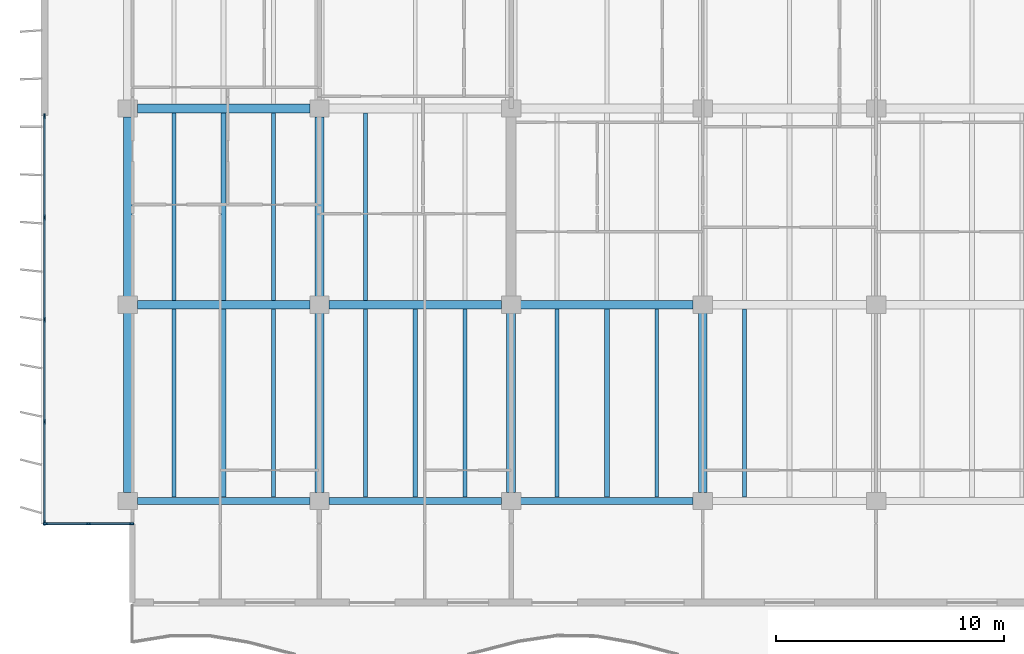
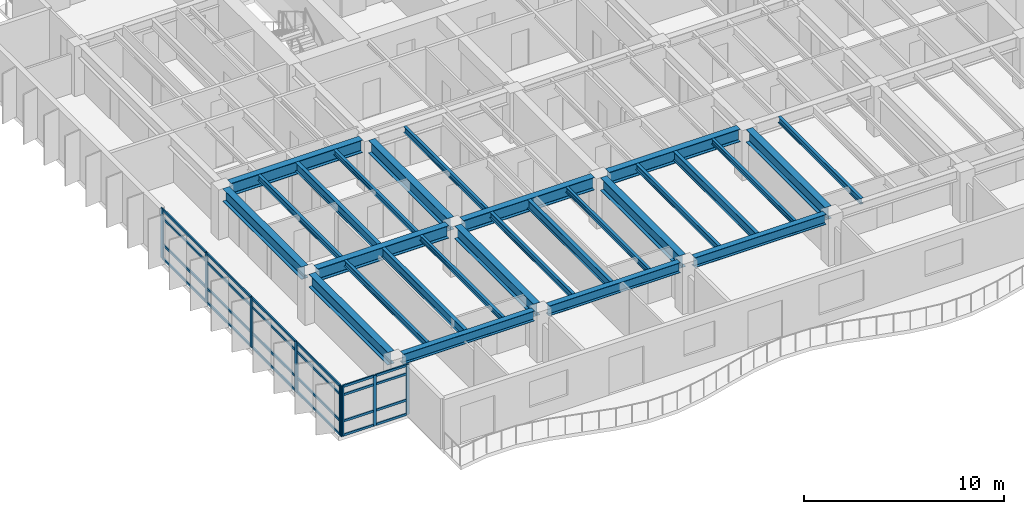
# One storey, part 2 of 18: 32 members, 27 beams, 2 elements without a shape of their own.
"""IFC4 building model written with IfcOpenShell, lengths in metres."""

from ifc_helpers import new_model, si_unit, direction, frame, origin, origin_2d, place, context, subcontext, project, spatial, rectangle, i_section, extrude, material, layer, layer_set, material_profile, profile_set, type_object, element, aggregate, save


model = new_model("IFC4")

# Units and contexts
model_context = context("Model", 3, precision=1e-05, world=origin(), true_north=direction((0.0, 1.0)))
body_context = subcontext(model_context, "Body", "Model", "MODEL_VIEW")
ifc_project = project(units=[si_unit("LENGTHUNIT", "METRE"), si_unit("AREAUNIT", "SQUARE_METRE"), si_unit("VOLUMEUNIT", "CUBIC_METRE"), si_unit("PLANEANGLEUNIT", "RADIAN"), si_unit("MASSUNIT", "GRAM", prefix="KILO")], contexts=[model_context])

# Site, building, storey
site_placement = place(None, origin())
site = spatial("IfcSite", under=ifc_project, at=site_placement, CompositionType="ELEMENT")
building_placement = place(site_placement, origin())
building = spatial("IfcBuilding", under=site, at=building_placement, Name="Caelmar Bay Residences", CompositionType="ELEMENT")
storey_placement = place(building_placement, frame((0.0, 0.0, 177.0)))
storey = spatial("IfcBuildingStorey", under=building, at=storey_placement, Name="L49", CompositionType="ELEMENT", Elevation=177.0)

# Beams
ifc_material_1 = material(Name="Steel ASTM A992 Grade 50", Category="steel")
ifc_material_profile_1 = material_profile(ifc_material_1, i_section(OverallWidth=0.381103515625, OverallDepth=0.77197265625, WebThickness=0.0166015625, FlangeThickness=0.027099609375, FilletRadius=0.0166015625, at=origin_2d()), Name="W30X173")
ifc_profile_set_1 = profile_set([ifc_material_profile_1], Name="Steel ASTM A992 Grade 50")
beam_type_1 = type_object("IfcBeamType", Name="BM-GRD-W30X173", PredefinedType="BEAM", material=ifc_profile_set_1)
beam_1_placement = place(storey_placement, frame((10.31494140625, 20.800048828125, 2.6640625), z_axis=(1.0, 0.0, 0.0), x_axis=(0.0, 1.0, 0.0)))
element("IfcBeam", 1, at=beam_1_placement, inside=storey, type_object=beam_type_1, Name="L49 East-West Girder Y=20.80 (9.9-18.3)", PredefinedType="BEAM", context=body_context, shape_type="SweptSolid", body=[
    extrude(i_section(OverallWidth=0.381103515625, OverallDepth=0.77197265625, WebThickness=0.0166015625, FlangeThickness=0.027099609375, FilletRadius=0.0166015625, at=origin_2d()), origin(), (0.0, 0.0, 1.0), 7.570068359375),
])
beam_2_placement = place(storey_placement, frame((18.715087890625, 20.800048828125, 2.6640625), z_axis=(1.0, 0.0, 0.0), x_axis=(0.0, 1.0, 0.0)))
element("IfcBeam", 2, at=beam_2_placement, inside=storey, type_object=beam_type_1, Name="L49 East-West Girder Y=20.80 (18.3-26.7)", PredefinedType="BEAM", context=body_context, shape_type="SweptSolid", body=[
    extrude(i_section(OverallWidth=0.381103515625, OverallDepth=0.77197265625, WebThickness=0.0166015625, FlangeThickness=0.027099609375, FilletRadius=0.0166015625, at=origin_2d()), origin(), (0.0, 0.0, 1.0), 7.56982421875),
])
for number, where, z_axis, x_axis, name in (
    (3, (27.114990234375, 20.800048828125, 2.6640625), (1.0, 0.0, 0.0), (0.0, 1.0, 0.0), "L49 East-West Girder Y=20.80 (26.7-35.1)"),
    (4, (10.31494140625, 29.39990234375, 2.6640625), (1.0, 0.0, 0.0), (0.0, 1.0, 0.0), "L49 East-West Girder Y=29.40 (9.9-18.3)"),
):
    element("IfcBeam", number, at=place(storey_placement, frame(where, z_axis=z_axis, x_axis=x_axis)), inside=storey, type_object=beam_type_1, Name=name, PredefinedType="BEAM", context=body_context, shape_type="SweptSolid", body=[
        extrude(i_section(OverallWidth=0.381103515625, OverallDepth=0.77197265625, WebThickness=0.0166015625, FlangeThickness=0.027099609375, FilletRadius=0.0166015625, at=origin_2d()), origin(), (0.0, 0.0, 1.0), 7.570068359375),
    ])
beam_3_placement = place(storey_placement, frame((9.89990234375, 12.56494140625, 2.6640625), z_axis=(0.0, 1.0, 0.0), x_axis=(-1.0, 0.0, 0.0)))
element("IfcBeam", 5, at=beam_3_placement, inside=storey, type_object=beam_type_1, Name="L49 North-South Girder X=9.90 (12.2-20.8)", PredefinedType="BEAM", context=body_context, shape_type="SweptSolid", body=[
    extrude(i_section(OverallWidth=0.381103515625, OverallDepth=0.77197265625, WebThickness=0.0166015625, FlangeThickness=0.027099609375, FilletRadius=0.0166015625, at=origin_2d()), origin(), (0.0, 0.0, 1.0), 7.8701171875),
])
beam_4_placement = place(storey_placement, frame((9.89990234375, 21.1650390625, 2.6640625), z_axis=(0.0, 1.0, 0.0), x_axis=(-1.0, 0.0, 0.0)))
element("IfcBeam", 6, at=beam_4_placement, inside=storey, type_object=beam_type_1, Name="L49 North-South Girder X=9.90 (20.8-29.4)", PredefinedType="BEAM", context=body_context, shape_type="SweptSolid", body=[
    extrude(i_section(OverallWidth=0.381103515625, OverallDepth=0.77197265625, WebThickness=0.0166015625, FlangeThickness=0.027099609375, FilletRadius=0.0166015625, at=origin_2d()), origin(), (0.0, 0.0, 1.0), 7.869873046875),
])
beam_5_placement = place(storey_placement, frame((18.300048828125, 12.56494140625, 2.6640625), z_axis=(0.0, 1.0, 0.0), x_axis=(-1.0, 0.0, 0.0)))
element("IfcBeam", 7, at=beam_5_placement, inside=storey, type_object=beam_type_1, Name="L49 North-South Girder X=18.30 (12.2-20.8)", PredefinedType="BEAM", context=body_context, shape_type="SweptSolid", body=[
    extrude(i_section(OverallWidth=0.381103515625, OverallDepth=0.77197265625, WebThickness=0.0166015625, FlangeThickness=0.027099609375, FilletRadius=0.0166015625, at=origin_2d()), origin(), (0.0, 0.0, 1.0), 7.8701171875),
])
beam_6_placement = place(storey_placement, frame((18.300048828125, 21.1650390625, 2.6640625), z_axis=(0.0, 1.0, 0.0), x_axis=(-1.0, 0.0, 0.0)))
element("IfcBeam", 8, at=beam_6_placement, inside=storey, type_object=beam_type_1, Name="L49 North-South Girder X=18.30 (20.8-29.4)", PredefinedType="BEAM", context=body_context, shape_type="SweptSolid", body=[
    extrude(i_section(OverallWidth=0.381103515625, OverallDepth=0.77197265625, WebThickness=0.0166015625, FlangeThickness=0.027099609375, FilletRadius=0.0166015625, at=origin_2d()), origin(), (0.0, 0.0, 1.0), 7.869873046875),
])
for number, where, z_axis, x_axis, name in (
    (9, (26.699951171875, 12.56494140625, 2.6640625), (0.0, 1.0, 0.0), (-1.0, 0.0, 0.0), "L49 North-South Girder X=26.70 (12.2-20.8)"),
    (10, (35.10009765625, 12.56494140625, 2.6640625), (0.0, 1.0, 0.0), (-1.0, 0.0, 0.0), "L49 North-South Girder X=35.10 (12.2-20.8)"),
):
    element("IfcBeam", number, at=place(storey_placement, frame(where, z_axis=z_axis, x_axis=x_axis)), inside=storey, type_object=beam_type_1, Name=name, PredefinedType="BEAM", context=body_context, shape_type="SweptSolid", body=[
        extrude(i_section(OverallWidth=0.381103515625, OverallDepth=0.77197265625, WebThickness=0.0166015625, FlangeThickness=0.027099609375, FilletRadius=0.0166015625, at=origin_2d()), origin(), (0.0, 0.0, 1.0), 7.8701171875),
    ])
ifc_material_profile_2 = material_profile(ifc_material_1, i_section(OverallWidth=0.1650390625, OverallDepth=0.31005859375, WebThickness=0.005859375, FlangeThickness=0.009765625, FilletRadius=0.007568359375, at=origin_2d()), Name="W12X26")
ifc_profile_set_2 = profile_set([ifc_material_profile_2], Name="Steel ASTM A992 Grade 50")
beam_type_2 = type_object("IfcBeamType", Name="BM-JST-W12X26", PredefinedType="JOIST", material=ifc_profile_set_2)
for number, where, z_axis, x_axis, name in (
    (11, (16.283935546875, 12.362548828125, 2.89501953125), (0.0, 1.0, 0.0), (-1.0, 0.0, 0.0), "L49 Composite Floor Joist 3"),
    (12, (24.68408203125, 12.362548828125, 2.89501953125), (0.0, 1.0, 0.0), (-1.0, 0.0, 0.0), "L49 Composite Floor Joist 6"),
    (13, (33.083984375, 12.362548828125, 2.89501953125), (0.0, 1.0, 0.0), (-1.0, 0.0, 0.0), "L49 Composite Floor Joist 9"),
):
    element("IfcBeam", number, at=place(storey_placement, frame(where, z_axis=z_axis, x_axis=x_axis)), inside=storey, type_object=beam_type_2, Name=name, PredefinedType="JOIST", context=body_context, shape_type="SweptSolid", body=[
        extrude(i_section(OverallWidth=0.1650390625, OverallDepth=0.31005859375, WebThickness=0.005859375, FlangeThickness=0.009765625, FilletRadius=0.007568359375, at=origin_2d()), origin(), (0.0, 0.0, 1.0), 8.2470703125),
    ])
beam_7_placement = place(storey_placement, frame((16.283935546875, 20.990478515625, 2.89501953125), z_axis=(0.0, 1.0, 0.0), x_axis=(-1.0, 0.0, 0.0)))
element("IfcBeam", 14, at=beam_7_placement, inside=storey, type_object=beam_type_2, Name="L49 Composite Floor Joist 24", PredefinedType="JOIST", context=body_context, shape_type="SweptSolid", body=[
    extrude(i_section(OverallWidth=0.1650390625, OverallDepth=0.31005859375, WebThickness=0.005859375, FlangeThickness=0.009765625, FilletRadius=0.007568359375, at=origin_2d()), origin(), (0.0, 0.0, 1.0), 8.218994140625),
])
ifc_material_profile_3 = material_profile(ifc_material_1, i_section(OverallWidth=0.1708984375, OverallDepth=0.35595703125, WebThickness=0.007080078125, FlangeThickness=0.01171875, FilletRadius=0.007568359375, at=origin_2d()), Name="W14X34")
ifc_profile_set_3 = profile_set([ifc_material_profile_3], Name="Steel ASTM A992 Grade 50")
beam_type_3 = type_object("IfcBeamType", Name="BM-JST-W14X34", PredefinedType="JOIST", material=ifc_profile_set_3)
for number, where, z_axis, x_axis, name in (
    (15, (11.916015625, 12.362548828125, 2.8720703125), (0.0, 1.0, 0.0), (-1.0, 0.0, 0.0), "L49 Composite Floor Joist 1"),
    (16, (20.31591796875, 12.362548828125, 2.8720703125), (0.0, 1.0, 0.0), (-1.0, 0.0, 0.0), "L49 Composite Floor Joist 4"),
    (17, (28.716064453125, 12.362548828125, 2.8720703125), (0.0, 1.0, 0.0), (-1.0, 0.0, 0.0), "L49 Composite Floor Joist 7"),
    (18, (36.924072265625, 12.362548828125, 2.8720703125), (0.0, 1.0, 0.0), (-1.0, 0.0, 0.0), "L49 Composite Floor Joist 10"),
):
    element("IfcBeam", number, at=place(storey_placement, frame(where, z_axis=z_axis, x_axis=x_axis)), inside=storey, type_object=beam_type_3, Name=name, PredefinedType="JOIST", context=body_context, shape_type="SweptSolid", body=[
        extrude(i_section(OverallWidth=0.1708984375, OverallDepth=0.35595703125, WebThickness=0.007080078125, FlangeThickness=0.01171875, FilletRadius=0.007568359375, at=origin_2d()), origin(), (0.0, 0.0, 1.0), 8.2470703125),
    ])
for number, where, z_axis, x_axis, name in (
    (19, (11.916015625, 20.990478515625, 2.8720703125), (0.0, 1.0, 0.0), (-1.0, 0.0, 0.0), "L49 Composite Floor Joist 22"),
    (20, (20.31591796875, 20.990478515625, 2.8720703125), (0.0, 1.0, 0.0), (-1.0, 0.0, 0.0), "L49 Composite Floor Joist 25"),
):
    element("IfcBeam", number, at=place(storey_placement, frame(where, z_axis=z_axis, x_axis=x_axis)), inside=storey, type_object=beam_type_3, Name=name, PredefinedType="JOIST", context=body_context, shape_type="SweptSolid", body=[
        extrude(i_section(OverallWidth=0.1708984375, OverallDepth=0.35595703125, WebThickness=0.007080078125, FlangeThickness=0.01171875, FilletRadius=0.007568359375, at=origin_2d()), origin(), (0.0, 0.0, 1.0), 8.218994140625),
    ])
ifc_material_profile_4 = material_profile(ifc_material_1, i_section(OverallWidth=0.2099609375, OverallDepth=0.535888671875, WebThickness=0.010986328125, FlangeThickness=0.017333984375, FilletRadius=0.0126953125, at=origin_2d()), Name="W21X68")
ifc_profile_set_4 = profile_set([ifc_material_profile_4], Name="Steel ASTM A992 Grade 50")
beam_type_4 = type_object("IfcBeamType", Name="BM-JST-W21X68", PredefinedType="JOIST", material=ifc_profile_set_4)
for number, where, z_axis, x_axis, name in (
    (21, (14.10009765625, 12.362548828125, 2.781982421875), (0.0, 1.0, 0.0), (-1.0, 0.0, 0.0), "L49 Composite Floor Joist 2"),
    (22, (22.5, 12.362548828125, 2.781982421875), (0.0, 1.0, 0.0), (-1.0, 0.0, 0.0), "L49 Composite Floor Joist 5"),
    (23, (30.89990234375, 12.362548828125, 2.781982421875), (0.0, 1.0, 0.0), (-1.0, 0.0, 0.0), "L49 Composite Floor Joist 8"),
):
    element("IfcBeam", number, at=place(storey_placement, frame(where, z_axis=z_axis, x_axis=x_axis)), inside=storey, type_object=beam_type_4, Name=name, PredefinedType="JOIST", context=body_context, shape_type="SweptSolid", body=[
        extrude(i_section(OverallWidth=0.2099609375, OverallDepth=0.535888671875, WebThickness=0.010986328125, FlangeThickness=0.017333984375, FilletRadius=0.0126953125, at=origin_2d()), origin(), (0.0, 0.0, 1.0), 8.2470703125),
    ])
beam_8_placement = place(storey_placement, frame((14.10009765625, 20.990478515625, 2.781982421875), z_axis=(0.0, 1.0, 0.0), x_axis=(-1.0, 0.0, 0.0)))
element("IfcBeam", 24, at=beam_8_placement, inside=storey, type_object=beam_type_4, Name="L49 Composite Floor Joist 23", PredefinedType="JOIST", context=body_context, shape_type="SweptSolid", body=[
    extrude(i_section(OverallWidth=0.2099609375, OverallDepth=0.535888671875, WebThickness=0.010986328125, FlangeThickness=0.017333984375, FilletRadius=0.0126953125, at=origin_2d()), origin(), (0.0, 0.0, 1.0), 8.218994140625),
])
ifc_material_profile_5 = material_profile(ifc_material_1, i_section(OverallWidth=0.324951171875, OverallDepth=0.616943359375, WebThickness=0.013916015625, FlangeThickness=0.021484375, FilletRadius=0.0126953125, at=origin_2d()), Name="W24X117")
ifc_profile_set_5 = profile_set([ifc_material_profile_5], Name="Steel ASTM A992 Grade 50")
beam_type_5 = type_object("IfcBeamType", Name="BM-SPN-W24X117", PredefinedType="SPANDREL", material=ifc_profile_set_5)
beam_9_placement = place(storey_placement, frame((10.31494140625, 12.199951171875, 2.741455078125), z_axis=(1.0, 0.0, 0.0), x_axis=(0.0, 1.0, 0.0)))
element("IfcBeam", 25, at=beam_9_placement, inside=storey, type_object=beam_type_5, Name="L49 East-West Girder Y=12.20 (9.9-18.3)", PredefinedType="SPANDREL", context=body_context, shape_type="SweptSolid", body=[
    extrude(i_section(OverallWidth=0.324951171875, OverallDepth=0.616943359375, WebThickness=0.013916015625, FlangeThickness=0.021484375, FilletRadius=0.0126953125, at=origin_2d()), origin(), (0.0, 0.0, 1.0), 7.570068359375),
])
beam_10_placement = place(storey_placement, frame((18.715087890625, 12.199951171875, 2.741455078125), z_axis=(1.0, 0.0, 0.0), x_axis=(0.0, 1.0, 0.0)))
element("IfcBeam", 26, at=beam_10_placement, inside=storey, type_object=beam_type_5, Name="L49 East-West Girder Y=12.20 (18.3-26.7)", PredefinedType="SPANDREL", context=body_context, shape_type="SweptSolid", body=[
    extrude(i_section(OverallWidth=0.324951171875, OverallDepth=0.616943359375, WebThickness=0.013916015625, FlangeThickness=0.021484375, FilletRadius=0.0126953125, at=origin_2d()), origin(), (0.0, 0.0, 1.0), 7.56982421875),
])
beam_11_placement = place(storey_placement, frame((27.114990234375, 12.199951171875, 2.741455078125), z_axis=(1.0, 0.0, 0.0), x_axis=(0.0, 1.0, 0.0)))
element("IfcBeam", 27, at=beam_11_placement, inside=storey, type_object=beam_type_5, Name="L49 East-West Girder Y=12.20 (26.7-35.1)", PredefinedType="SPANDREL", context=body_context, shape_type="SweptSolid", body=[
    extrude(i_section(OverallWidth=0.324951171875, OverallDepth=0.616943359375, WebThickness=0.013916015625, FlangeThickness=0.021484375, FilletRadius=0.0126953125, at=origin_2d()), origin(), (0.0, 0.0, 1.0), 7.570068359375),
])

# Curtain wall, members
ifc_material_2 = material(Name="Anodised bronze aluminium 6063-T6 and laminated glass", Category="aluminium")
ifc_layer_1 = layer(ifc_material_2, 0.179931640625)
ifc_layer_set_1 = layer_set([ifc_layer_1], Name="Anodised bronze aluminium 6063-T6 and laminated glass")
curtain_wall_type_1 = type_object("IfcCurtainWallType", Name="CW6-NTC", PredefinedType="NOTDEFINED", material=ifc_layer_set_1)
curtain_wall_1_placement = place(storey_placement, origin())
curtain_wall_1 = element("IfcCurtainWall", 28, at=curtain_wall_1_placement, inside=storey, type_object=curtain_wall_type_1, Name="CW6 curtain wall L49", PredefinedType="NOTDEFINED")
ifc_material_3 = material(Name="Anodised bronze aluminium 6063-T6", Category="aluminium")
ifc_material_profile_6 = material_profile(ifc_material_3, rectangle(XDim=0.080078125, YDim=0.179931640625, at=origin_2d()), Name="CWM-80X180")
ifc_profile_set_6 = profile_set([ifc_material_profile_6], Name="Anodised bronze aluminium 6063-T6")
member_type_1 = type_object("IfcMemberType", Name="CWM-180", PredefinedType="MULLION", material=ifc_profile_set_6)
member_1_placement = place(storey_placement, frame((6.2900390625, 11.199951171875, 0.0), z_axis=(0.0, 0.0, 1.0), x_axis=(0.0, 1.0, 0.0)))
member_1 = element("IfcMember", 29, at=member_1_placement, type_object=member_type_1, Name="CW6 mullion 1", PredefinedType="MULLION", context=body_context, shape_type="SweptSolid", body=[
    extrude(rectangle(XDim=0.080078125, YDim=0.179931640625, at=origin_2d()), origin(), (0.0, 0.0, 1.0), 3.050048828125),
])
member_2_placement = place(storey_placement, frame((8.175048828125, 11.199951171875, 0.0), z_axis=(0.0, 0.0, 1.0), x_axis=(0.0, 1.0, 0.0)))
member_2 = element("IfcMember", 30, at=member_2_placement, type_object=member_type_1, Name="CW6 mullion 2", PredefinedType="MULLION", context=body_context, shape_type="SweptSolid", body=[
    extrude(rectangle(XDim=0.080078125, YDim=0.179931640625, at=origin_2d()), origin(), (0.0, 0.0, 1.0), 3.050048828125),
])
member_3_placement = place(storey_placement, frame((10.06005859375, 11.199951171875, 0.0), z_axis=(0.0, 0.0, 1.0), x_axis=(0.0, 1.0, 0.0)))
member_3 = element("IfcMember", 31, at=member_3_placement, type_object=member_type_1, Name="CW6 mullion 3", PredefinedType="MULLION", context=body_context, shape_type="SweptSolid", body=[
    extrude(rectangle(XDim=0.080078125, YDim=0.179931640625, at=origin_2d()), origin(), (0.0, 0.0, 1.0), 3.050048828125),
])

ifc_layer_2 = layer(ifc_material_2, 0.179931640625)
ifc_layer_set_2 = layer_set([ifc_layer_2], Name="Anodised bronze aluminium 6063-T6 and laminated glass")
curtain_wall_type_2 = type_object("IfcCurtainWallType", Name="CW4-Z3", PredefinedType="NOTDEFINED", material=ifc_layer_set_2)
curtain_wall_2_placement = place(storey_placement, origin())
curtain_wall_2 = element("IfcCurtainWall", 32, at=curtain_wall_2_placement, inside=storey, type_object=curtain_wall_type_2, Name="CW4 curtain wall L49", PredefinedType="NOTDEFINED")
ifc_material_profile_7 = material_profile(ifc_material_3, rectangle(XDim=0.080078125, YDim=0.219970703125, at=origin_2d()), Name="CWM-80X220")
ifc_profile_set_7 = profile_set([ifc_material_profile_7], Name="Anodised bronze aluminium 6063-T6")
member_type_2 = type_object("IfcMemberType", Name="CWM-220", PredefinedType="MULLION", material=ifc_profile_set_7)
member_4_placement = place(storey_placement, frame((6.25, 11.239990234375, 0.0), z_axis=(0.0, 0.0, 1.0), x_axis=(-1.0, 0.0, 0.0)))
member_4 = element("IfcMember", 33, at=member_4_placement, type_object=member_type_2, Name="CW4 mullion 1", PredefinedType="MULLION", context=body_context, shape_type="SweptSolid", body=[
    extrude(rectangle(XDim=0.080078125, YDim=0.219970703125, at=origin_2d()), origin(), (0.0, 0.0, 1.0), 3.050048828125),
])
member_5_placement = place(storey_placement, frame((6.25, 15.675048828125, 0.0), z_axis=(0.0, 0.0, 1.0), x_axis=(-1.0, 0.0, 0.0)))
member_5 = element("IfcMember", 34, at=member_5_placement, type_object=member_type_2, Name="CW4 mullion 2", PredefinedType="MULLION", context=body_context, shape_type="SweptSolid", body=[
    extrude(rectangle(XDim=0.080078125, YDim=0.219970703125, at=origin_2d()), origin(), (0.0, 0.0, 1.0), 3.050048828125),
])
member_6_placement = place(storey_placement, frame((6.25, 20.14990234375, 0.0), z_axis=(0.0, 0.0, 1.0), x_axis=(-1.0, 0.0, 0.0)))
member_6 = element("IfcMember", 35, at=member_6_placement, type_object=member_type_2, Name="CW4 mullion 3", PredefinedType="MULLION", context=body_context, shape_type="SweptSolid", body=[
    extrude(rectangle(XDim=0.080078125, YDim=0.219970703125, at=origin_2d()), origin(), (0.0, 0.0, 1.0), 3.050048828125),
])
member_7_placement = place(storey_placement, frame((6.25, 24.625, 0.0), z_axis=(0.0, 0.0, 1.0), x_axis=(-1.0, 0.0, 0.0)))
member_7 = element("IfcMember", 36, at=member_7_placement, type_object=member_type_2, Name="CW4 mullion 4", PredefinedType="MULLION", context=body_context, shape_type="SweptSolid", body=[
    extrude(rectangle(XDim=0.080078125, YDim=0.219970703125, at=origin_2d()), origin(), (0.0, 0.0, 1.0), 3.050048828125),
])
member_8_placement = place(storey_placement, frame((6.25, 29.06005859375, 0.0), z_axis=(0.0, 0.0, 1.0), x_axis=(-1.0, 0.0, 0.0)))
member_8 = element("IfcMember", 37, at=member_8_placement, type_object=member_type_2, Name="CW4 mullion 5", PredefinedType="MULLION", context=body_context, shape_type="SweptSolid", body=[
    extrude(rectangle(XDim=0.080078125, YDim=0.219970703125, at=origin_2d()), origin(), (0.0, 0.0, 1.0), 3.050048828125),
])

# Member
ifc_material_profile_8 = material_profile(ifc_material_3, rectangle(XDim=0.080078125, YDim=0.139892578125, at=origin_2d()), Name="CWT-80X140")
ifc_profile_set_8 = profile_set([ifc_material_profile_8], Name="Anodised bronze aluminium 6063-T6")
member_type_3 = type_object("IfcMemberType", Name="CWT-140", PredefinedType="NOTDEFINED", material=ifc_profile_set_8)
member_9_placement = place(storey_placement, frame((6.330078125, 11.199951171875, 0.0400390625), z_axis=(1.0, 0.0, 0.0), x_axis=(0.0, 1.0, 0.0)))
member_9 = element("IfcMember", 38, at=member_9_placement, type_object=member_type_3, Name="CW6 transom 1.1", ObjectType="TRANSOM", PredefinedType="USERDEFINED", context=body_context, shape_type="SweptSolid", body=[
    extrude(rectangle(XDim=0.080078125, YDim=0.139892578125, at=origin_2d()), origin(), (0.0, 0.0, 1.0), 1.804931640625),
])

member_10_placement = place(storey_placement, frame((6.330078125, 11.199951171875, 0.89990234375), z_axis=(1.0, 0.0, 0.0), x_axis=(0.0, 1.0, 0.0)))
member_10 = element("IfcMember", 39, at=member_10_placement, type_object=member_type_3, Name="CW6 transom 1.2", ObjectType="TRANSOM", PredefinedType="USERDEFINED", context=body_context, shape_type="SweptSolid", body=[
    extrude(rectangle(XDim=0.080078125, YDim=0.139892578125, at=origin_2d()), origin(), (0.0, 0.0, 1.0), 1.804931640625),
])

member_11_placement = place(storey_placement, frame((6.330078125, 11.199951171875, 2.5), z_axis=(1.0, 0.0, 0.0), x_axis=(0.0, 1.0, 0.0)))
member_11 = element("IfcMember", 40, at=member_11_placement, type_object=member_type_3, Name="CW6 transom 1.3", ObjectType="TRANSOM", PredefinedType="USERDEFINED", context=body_context, shape_type="SweptSolid", body=[
    extrude(rectangle(XDim=0.080078125, YDim=0.139892578125, at=origin_2d()), origin(), (0.0, 0.0, 1.0), 1.804931640625),
])

member_12_placement = place(storey_placement, frame((6.330078125, 11.199951171875, 3.010009765625), z_axis=(1.0, 0.0, 0.0), x_axis=(0.0, 1.0, 0.0)))
member_12 = element("IfcMember", 41, at=member_12_placement, type_object=member_type_3, Name="CW6 transom 1.4", ObjectType="TRANSOM", PredefinedType="USERDEFINED", context=body_context, shape_type="SweptSolid", body=[
    extrude(rectangle(XDim=0.080078125, YDim=0.139892578125, at=origin_2d()), origin(), (0.0, 0.0, 1.0), 1.804931640625),
])

member_13_placement = place(storey_placement, frame((8.215087890625, 11.199951171875, 0.0400390625), z_axis=(1.0, 0.0, 0.0), x_axis=(0.0, 1.0, 0.0)))
member_13 = element("IfcMember", 42, at=member_13_placement, type_object=member_type_3, Name="CW6 transom 2.1", ObjectType="TRANSOM", PredefinedType="USERDEFINED", context=body_context, shape_type="SweptSolid", body=[
    extrude(rectangle(XDim=0.080078125, YDim=0.139892578125, at=origin_2d()), origin(), (0.0, 0.0, 1.0), 1.804931640625),
])

member_14_placement = place(storey_placement, frame((8.215087890625, 11.199951171875, 0.89990234375), z_axis=(1.0, 0.0, 0.0), x_axis=(0.0, 1.0, 0.0)))
member_14 = element("IfcMember", 43, at=member_14_placement, type_object=member_type_3, Name="CW6 transom 2.2", ObjectType="TRANSOM", PredefinedType="USERDEFINED", context=body_context, shape_type="SweptSolid", body=[
    extrude(rectangle(XDim=0.080078125, YDim=0.139892578125, at=origin_2d()), origin(), (0.0, 0.0, 1.0), 1.804931640625),
])

member_15_placement = place(storey_placement, frame((8.215087890625, 11.199951171875, 2.5), z_axis=(1.0, 0.0, 0.0), x_axis=(0.0, 1.0, 0.0)))
member_15 = element("IfcMember", 44, at=member_15_placement, type_object=member_type_3, Name="CW6 transom 2.3", ObjectType="TRANSOM", PredefinedType="USERDEFINED", context=body_context, shape_type="SweptSolid", body=[
    extrude(rectangle(XDim=0.080078125, YDim=0.139892578125, at=origin_2d()), origin(), (0.0, 0.0, 1.0), 1.804931640625),
])

member_16_placement = place(storey_placement, frame((8.215087890625, 11.199951171875, 3.010009765625), z_axis=(1.0, 0.0, 0.0), x_axis=(0.0, 1.0, 0.0)))
member_16 = element("IfcMember", 45, at=member_16_placement, type_object=member_type_3, Name="CW6 transom 2.4", ObjectType="TRANSOM", PredefinedType="USERDEFINED", context=body_context, shape_type="SweptSolid", body=[
    extrude(rectangle(XDim=0.080078125, YDim=0.139892578125, at=origin_2d()), origin(), (0.0, 0.0, 1.0), 1.804931640625),
])

aggregate(curtain_wall_1, [member_1, member_2, member_3, member_9, member_10, member_11, member_12, member_13, member_14, member_15, member_16])

member_17_placement = place(storey_placement, frame((6.25, 11.280029296875, 0.0400390625), z_axis=(0.0, 1.0, 0.0), x_axis=(-1.0, 0.0, 0.0)))
member_17 = element("IfcMember", 46, at=member_17_placement, type_object=member_type_3, Name="CW4 transom 1.1", ObjectType="TRANSOM", PredefinedType="USERDEFINED", context=body_context, shape_type="SweptSolid", body=[
    extrude(rectangle(XDim=0.080078125, YDim=0.139892578125, at=origin_2d()), origin(), (0.0, 0.0, 1.0), 4.35498046875),
])

member_18_placement = place(storey_placement, frame((6.25, 11.280029296875, 0.89990234375), z_axis=(0.0, 1.0, 0.0), x_axis=(-1.0, 0.0, 0.0)))
member_18 = element("IfcMember", 47, at=member_18_placement, type_object=member_type_3, Name="CW4 transom 1.2", ObjectType="TRANSOM", PredefinedType="USERDEFINED", context=body_context, shape_type="SweptSolid", body=[
    extrude(rectangle(XDim=0.080078125, YDim=0.139892578125, at=origin_2d()), origin(), (0.0, 0.0, 1.0), 4.35498046875),
])

member_19_placement = place(storey_placement, frame((6.25, 11.280029296875, 2.5), z_axis=(0.0, 1.0, 0.0), x_axis=(-1.0, 0.0, 0.0)))
member_19 = element("IfcMember", 48, at=member_19_placement, type_object=member_type_3, Name="CW4 transom 1.3", ObjectType="TRANSOM", PredefinedType="USERDEFINED", context=body_context, shape_type="SweptSolid", body=[
    extrude(rectangle(XDim=0.080078125, YDim=0.139892578125, at=origin_2d()), origin(), (0.0, 0.0, 1.0), 4.35498046875),
])

member_20_placement = place(storey_placement, frame((6.25, 11.280029296875, 3.010009765625), z_axis=(0.0, 1.0, 0.0), x_axis=(-1.0, 0.0, 0.0)))
member_20 = element("IfcMember", 49, at=member_20_placement, type_object=member_type_3, Name="CW4 transom 1.4", ObjectType="TRANSOM", PredefinedType="USERDEFINED", context=body_context, shape_type="SweptSolid", body=[
    extrude(rectangle(XDim=0.080078125, YDim=0.139892578125, at=origin_2d()), origin(), (0.0, 0.0, 1.0), 4.35498046875),
])

member_21_placement = place(storey_placement, frame((6.25, 15.715087890625, 0.0400390625), z_axis=(0.0, 1.0, 0.0), x_axis=(-1.0, 0.0, 0.0)))
member_21 = element("IfcMember", 50, at=member_21_placement, type_object=member_type_3, Name="CW4 transom 2.1", ObjectType="TRANSOM", PredefinedType="USERDEFINED", context=body_context, shape_type="SweptSolid", body=[
    extrude(rectangle(XDim=0.080078125, YDim=0.139892578125, at=origin_2d()), origin(), (0.0, 0.0, 1.0), 4.39501953125),
])

member_22_placement = place(storey_placement, frame((6.25, 15.715087890625, 0.89990234375), z_axis=(0.0, 1.0, 0.0), x_axis=(-1.0, 0.0, 0.0)))
member_22 = element("IfcMember", 51, at=member_22_placement, type_object=member_type_3, Name="CW4 transom 2.2", ObjectType="TRANSOM", PredefinedType="USERDEFINED", context=body_context, shape_type="SweptSolid", body=[
    extrude(rectangle(XDim=0.080078125, YDim=0.139892578125, at=origin_2d()), origin(), (0.0, 0.0, 1.0), 4.39501953125),
])

member_23_placement = place(storey_placement, frame((6.25, 15.715087890625, 2.5), z_axis=(0.0, 1.0, 0.0), x_axis=(-1.0, 0.0, 0.0)))
member_23 = element("IfcMember", 52, at=member_23_placement, type_object=member_type_3, Name="CW4 transom 2.3", ObjectType="TRANSOM", PredefinedType="USERDEFINED", context=body_context, shape_type="SweptSolid", body=[
    extrude(rectangle(XDim=0.080078125, YDim=0.139892578125, at=origin_2d()), origin(), (0.0, 0.0, 1.0), 4.39501953125),
])

member_24_placement = place(storey_placement, frame((6.25, 15.715087890625, 3.010009765625), z_axis=(0.0, 1.0, 0.0), x_axis=(-1.0, 0.0, 0.0)))
member_24 = element("IfcMember", 53, at=member_24_placement, type_object=member_type_3, Name="CW4 transom 2.4", ObjectType="TRANSOM", PredefinedType="USERDEFINED", context=body_context, shape_type="SweptSolid", body=[
    extrude(rectangle(XDim=0.080078125, YDim=0.139892578125, at=origin_2d()), origin(), (0.0, 0.0, 1.0), 4.39501953125),
])

member_25_placement = place(storey_placement, frame((6.25, 20.18994140625, 0.0400390625), z_axis=(0.0, 1.0, 0.0), x_axis=(-1.0, 0.0, 0.0)))
member_25 = element("IfcMember", 54, at=member_25_placement, type_object=member_type_3, Name="CW4 transom 3.1", ObjectType="TRANSOM", PredefinedType="USERDEFINED", context=body_context, shape_type="SweptSolid", body=[
    extrude(rectangle(XDim=0.080078125, YDim=0.139892578125, at=origin_2d()), origin(), (0.0, 0.0, 1.0), 4.39501953125),
])

member_26_placement = place(storey_placement, frame((6.25, 20.18994140625, 0.89990234375), z_axis=(0.0, 1.0, 0.0), x_axis=(-1.0, 0.0, 0.0)))
member_26 = element("IfcMember", 55, at=member_26_placement, type_object=member_type_3, Name="CW4 transom 3.2", ObjectType="TRANSOM", PredefinedType="USERDEFINED", context=body_context, shape_type="SweptSolid", body=[
    extrude(rectangle(XDim=0.080078125, YDim=0.139892578125, at=origin_2d()), origin(), (0.0, 0.0, 1.0), 4.39501953125),
])

member_27_placement = place(storey_placement, frame((6.25, 20.18994140625, 2.5), z_axis=(0.0, 1.0, 0.0), x_axis=(-1.0, 0.0, 0.0)))
member_27 = element("IfcMember", 56, at=member_27_placement, type_object=member_type_3, Name="CW4 transom 3.3", ObjectType="TRANSOM", PredefinedType="USERDEFINED", context=body_context, shape_type="SweptSolid", body=[
    extrude(rectangle(XDim=0.080078125, YDim=0.139892578125, at=origin_2d()), origin(), (0.0, 0.0, 1.0), 4.39501953125),
])

member_28_placement = place(storey_placement, frame((6.25, 20.18994140625, 3.010009765625), z_axis=(0.0, 1.0, 0.0), x_axis=(-1.0, 0.0, 0.0)))
member_28 = element("IfcMember", 57, at=member_28_placement, type_object=member_type_3, Name="CW4 transom 3.4", ObjectType="TRANSOM", PredefinedType="USERDEFINED", context=body_context, shape_type="SweptSolid", body=[
    extrude(rectangle(XDim=0.080078125, YDim=0.139892578125, at=origin_2d()), origin(), (0.0, 0.0, 1.0), 4.39501953125),
])

member_29_placement = place(storey_placement, frame((6.25, 24.6650390625, 0.0400390625), z_axis=(0.0, 1.0, 0.0), x_axis=(-1.0, 0.0, 0.0)))
member_29 = element("IfcMember", 58, at=member_29_placement, type_object=member_type_3, Name="CW4 transom 4.1", ObjectType="TRANSOM", PredefinedType="USERDEFINED", context=body_context, shape_type="SweptSolid", body=[
    extrude(rectangle(XDim=0.080078125, YDim=0.139892578125, at=origin_2d()), origin(), (0.0, 0.0, 1.0), 4.35498046875),
])

member_30_placement = place(storey_placement, frame((6.25, 24.6650390625, 0.89990234375), z_axis=(0.0, 1.0, 0.0), x_axis=(-1.0, 0.0, 0.0)))
member_30 = element("IfcMember", 59, at=member_30_placement, type_object=member_type_3, Name="CW4 transom 4.2", ObjectType="TRANSOM", PredefinedType="USERDEFINED", context=body_context, shape_type="SweptSolid", body=[
    extrude(rectangle(XDim=0.080078125, YDim=0.139892578125, at=origin_2d()), origin(), (0.0, 0.0, 1.0), 4.35498046875),
])

member_31_placement = place(storey_placement, frame((6.25, 24.6650390625, 2.5), z_axis=(0.0, 1.0, 0.0), x_axis=(-1.0, 0.0, 0.0)))
member_31 = element("IfcMember", 60, at=member_31_placement, type_object=member_type_3, Name="CW4 transom 4.3", ObjectType="TRANSOM", PredefinedType="USERDEFINED", context=body_context, shape_type="SweptSolid", body=[
    extrude(rectangle(XDim=0.080078125, YDim=0.139892578125, at=origin_2d()), origin(), (0.0, 0.0, 1.0), 4.35498046875),
])

member_32_placement = place(storey_placement, frame((6.25, 24.6650390625, 3.010009765625), z_axis=(0.0, 1.0, 0.0), x_axis=(-1.0, 0.0, 0.0)))
member_32 = element("IfcMember", 61, at=member_32_placement, type_object=member_type_3, Name="CW4 transom 4.4", ObjectType="TRANSOM", PredefinedType="USERDEFINED", context=body_context, shape_type="SweptSolid", body=[
    extrude(rectangle(XDim=0.080078125, YDim=0.139892578125, at=origin_2d()), origin(), (0.0, 0.0, 1.0), 4.35498046875),
])

aggregate(curtain_wall_2, [member_4, member_5, member_6, member_7, member_8, member_17, member_18, member_19, member_20, member_21, member_22, member_23, member_24, member_25, member_26, member_27, member_28, member_29, member_30, member_31, member_32])

save(model, "model.ifc")
